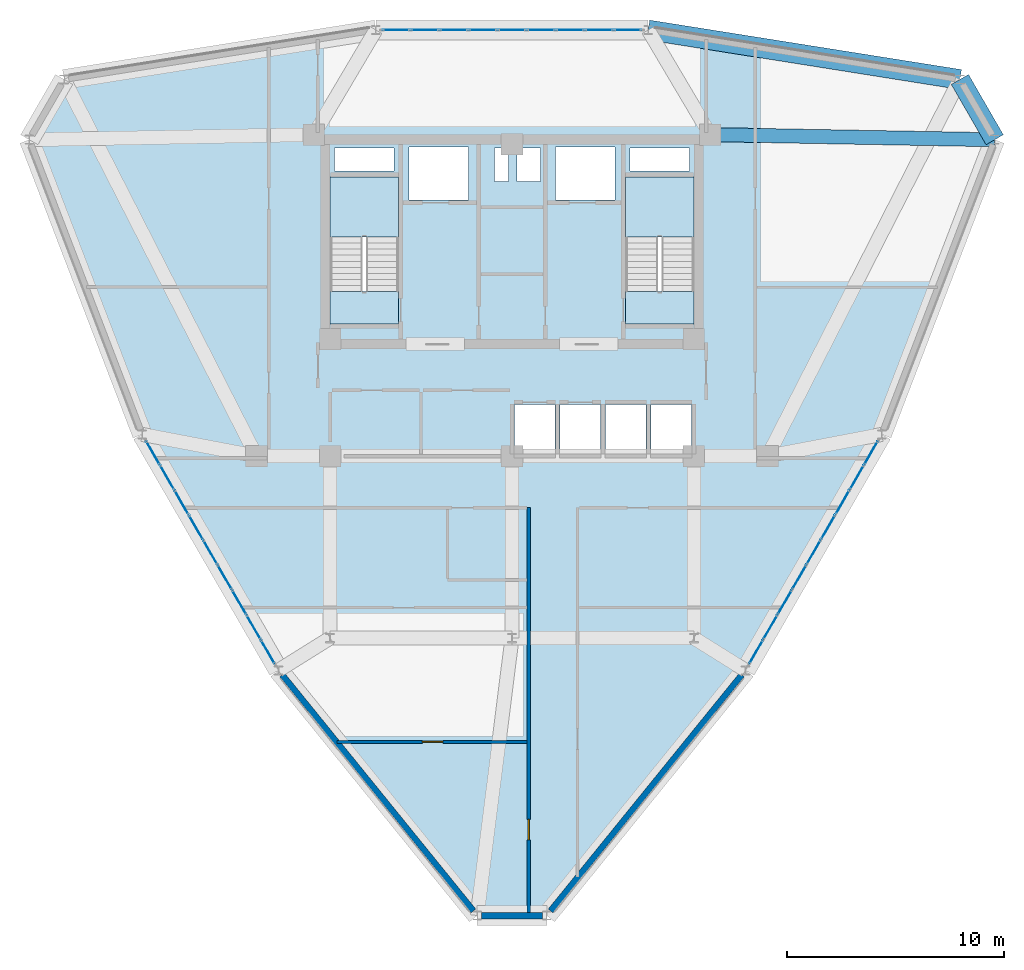
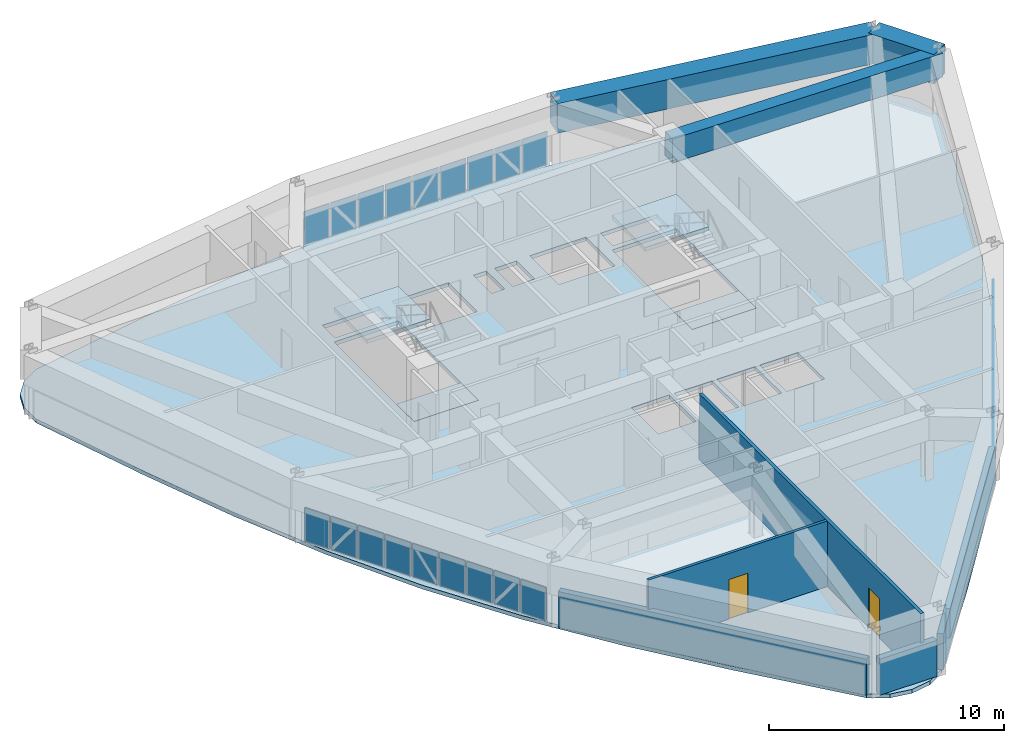
# One storey, part 9 of 13: 27 plates, 5 slabs, 5 walls, 3 beams, 2 doors, 2 openings, 5 elements without a shape of their own.
"""IFC4 building model written with IfcOpenShell, lengths in metres."""

from ifc_helpers import new_model, si_unit, derived_unit, direction, frame, frame_2d, origin, origin_2d, place, context, subcontext, project, spatial, polyline, rectangle, outline, extrude, source, transform, mapped, material, layer, layer_set, material_profile, profile_set, type_object, element, fill, aggregate, save


model = new_model("IFC4")

# Units and contexts
model_context = context("Model", 3, precision=1e-05, world=origin(), true_north=direction((0.0, 1.0)))
body_context = subcontext(model_context, "Body", "Model", "MODEL_VIEW")
ifc_project = project(units=[si_unit("LENGTHUNIT", "METRE"), si_unit("AREAUNIT", "SQUARE_METRE"), si_unit("VOLUMEUNIT", "CUBIC_METRE"), si_unit("PLANEANGLEUNIT", "RADIAN"), si_unit("MASSUNIT", "GRAM", prefix="KILO"), derived_unit("THERMALTRANSMITTANCEUNIT", [(si_unit("POWERUNIT", "WATT"), 1), (si_unit("LENGTHUNIT", "METRE"), -2), (si_unit("THERMODYNAMICTEMPERATUREUNIT", "KELVIN"), -1)])], contexts=[model_context])

# Site, building, storey
site_placement = place(None, origin())
site = spatial("IfcSite", under=ifc_project, at=site_placement, CompositionType="ELEMENT")
building_placement = place(site_placement, origin())
building = spatial("IfcBuilding", under=site, at=building_placement, Name="Korsvarv Bourse and Concert Hall", CompositionType="ELEMENT")
storey_placement = place(building_placement, frame((0.0, 0.0, 179.39990234375)))
storey = spatial("IfcBuildingStorey", under=building, at=storey_placement, Name="L46", CompositionType="ELEMENT", Elevation=179.39990234375)

# Beams
ifc_material_1 = material(Name="Concrete C50/60", Category="concrete")
ifc_material_profile_1 = material_profile(ifc_material_1, rectangle(XDim=0.919921875, YDim=1.530029296875, at=origin_2d()), Name="RC-BM 920x1530")
ifc_profile_set_1 = profile_set([ifc_material_profile_1], Name="Concrete C50/60")
beam_type_1 = type_object("IfcBeamType", Name="BM-TR-154", PredefinedType="BEAM", material=ifc_profile_set_1)
shared_shape_1 = source(origin(), body_context, "Body", "SweptSolid", [
    extrude(rectangle(XDim=0.919921875, YDim=1.530029296875, at=origin_2d()), origin(), (0.0, 0.0, 1.0), 3.21533203125),
])
beam_1_placement = place(storey_placement, frame((58.290283203125, 47.012939453125, 2.635009765625), z_axis=(-0.49998535512, 0.866033858845, 0.0), x_axis=(-0.866033858845, -0.49998535512, 0.0)))
element("IfcBeam", 1, at=beam_1_placement, inside=storey, type_object=beam_type_1, Name="L46 beam B-TR6", PredefinedType="BEAM", context=body_context, shape_type="MappedRepresentation", body=[
    mapped(shared_shape_1, transform((0.0, 0.0, 0.0), scale=1.0)),
])
shared_shape_2 = source(origin(), body_context, "Body", "SweptSolid", [
    extrude(rectangle(XDim=0.919921875, YDim=1.530029296875, at=origin_2d()), origin(), (0.0, 0.0, 1.0), 14.573486328125),
])
beam_2_placement = place(storey_placement, frame((56.6826171875, 49.797607421875, 2.635009765625), z_axis=(-0.987635363781, 0.156768581702, 0.0), x_axis=(-0.156768581702, -0.987635363781, 0.0)))
element("IfcBeam", 2, at=beam_2_placement, inside=storey, type_object=beam_type_1, Name="L46 beam B-TR6", PredefinedType="BEAM", context=body_context, shape_type="MappedRepresentation", body=[
    mapped(shared_shape_2, transform((0.0, 0.0, 0.0), scale=1.0)),
])
ifc_material_profile_2 = material_profile(ifc_material_1, rectangle(XDim=0.64990234375, YDim=1.239990234375, at=origin_2d()), Name="RC-BM 650x1240")
ifc_profile_set_2 = profile_set([ifc_material_profile_2], Name="Concrete C50/60")
beam_type_2 = type_object("IfcBeamType", Name="BM-TR-SPN", PredefinedType="BEAM", material=ifc_profile_set_2)
shared_shape_3 = source(origin(), body_context, "Body", "SweptSolid", [
    extrude(rectangle(XDim=0.64990234375, YDim=1.239990234375, at=origin_2d()), origin(), (0.0, 0.0, 1.0), 13.142578125),
])
beam_3_placement = place(storey_placement, frame((58.290283203125, 47.012939453125, 2.780029296875), z_axis=(-0.999837307824, 0.01803767954, 0.0), x_axis=(-0.01803767954, -0.999837307824, 0.0)))
element("IfcBeam", 3, at=beam_3_placement, inside=storey, type_object=beam_type_2, Name="L46 beam B-TRS", PredefinedType="BEAM", context=body_context, shape_type="MappedRepresentation", body=[
    mapped(shared_shape_3, transform((0.0, 0.0, 0.0), scale=1.0)),
])

# Slabs
ifc_material_2 = material(Name="Precast concrete C45/55", Category="concrete")
ifc_layer_1 = layer(ifc_material_2, 0.199951171875)
ifc_layer_set_1 = layer_set([ifc_layer_1], Name="Precast concrete C45/55")
slab_type_1 = type_object("IfcSlabType", Name="SLB-FLND-T", PredefinedType="LANDING", material=ifc_layer_set_1)
slab_1_placement = place(storey_placement, frame((0.0, 0.0, -0.199951171875)))
element("IfcSlab", 4, at=slab_1_placement, inside=storey, type_object=slab_type_1, Name="L46 Stair ST-T1 Floor Landing Slab", PredefinedType="LANDING", context=body_context, shape_type="SweptSolid", body=[
    extrude(outline(polyline([(30.760009765625, 38.5), (30.760009765625, 40.0), (27.60009765625, 40.0), (27.60009765625, 38.5), (30.760009765625, 38.5)])), origin(), (0.0, 0.0, 1.0), 0.199951171875),
])
slab_2_placement = place(storey_placement, frame((0.0, 0.0, -0.199951171875)))
element("IfcSlab", 5, at=slab_2_placement, inside=storey, type_object=slab_type_1, Name="L46 Stair ST-T2 Floor Landing Slab", PredefinedType="LANDING", context=body_context, shape_type="SweptSolid", body=[
    extrude(outline(polyline([(44.39990234375, 38.5), (44.39990234375, 40.0), (41.239990234375, 40.0), (41.239990234375, 38.5), (44.39990234375, 38.5)])), origin(), (0.0, 0.0, 1.0), 0.199951171875),
])

# Stair, slab
stair_type = type_object("IfcStairType", Name="STR-TYPE-04", PredefinedType="HALF_TURN_STAIR", material=ifc_material_2)
stair_1_placement = place(storey_placement, origin())
stair_1 = element("IfcStair", 6, at=stair_1_placement, inside=storey, type_object=stair_type, Name="L46 Tower West Exit Stair ST-T1", PredefinedType="HALF_TURN_STAIR")
ifc_layer_2 = layer(ifc_material_2, 0.199951171875)
ifc_layer_set_2 = layer_set([ifc_layer_2], Name="Precast concrete C45/55")
slab_type_2 = type_object("IfcSlabType", Name="SLB-ST-LND", PredefinedType="LANDING", material=ifc_layer_set_2)
slab_3_placement = place(storey_placement, frame((0.0, 0.0, 1.60009765625)))
slab_3 = element("IfcSlab", 7, at=slab_3_placement, type_object=slab_type_2, Name="ST-T1 landing 1", PredefinedType="LANDING", context=body_context, shape_type="SweptSolid", body=[
    extrude(outline(polyline([(30.760009765625, 42.52001953125), (30.760009765625, 45.300048828125), (27.60009765625, 45.300048828125), (27.60009765625, 42.52001953125), (30.760009765625, 42.52001953125)])), origin(), (0.0, 0.0, 1.0), 0.199951171875),
])
aggregate(stair_1, [slab_3])

stair_2_placement = place(storey_placement, origin())
stair_2 = element("IfcStair", 8, at=stair_2_placement, inside=storey, type_object=stair_type, Name="L46 Tower East Exit Stair ST-T2", PredefinedType="HALF_TURN_STAIR")
slab_4_placement = place(storey_placement, frame((0.0, 0.0, 1.60009765625)))
slab_4 = element("IfcSlab", 9, at=slab_4_placement, type_object=slab_type_2, Name="ST-T2 landing 1", PredefinedType="LANDING", context=body_context, shape_type="SweptSolid", body=[
    extrude(outline(polyline([(44.39990234375, 42.52001953125), (44.39990234375, 45.300048828125), (41.239990234375, 45.300048828125), (41.239990234375, 42.52001953125), (44.39990234375, 42.52001953125)])), origin(), (0.0, 0.0, 1.0), 0.199951171875),
])
aggregate(stair_2, [slab_4])

# Slab
ifc_material_3 = material(Name="Concrete C45/55", Category="concrete")
ifc_layer_3 = layer(ifc_material_3, 0.199951171875)
ifc_layer_set_3 = layer_set([ifc_layer_3], Name="Concrete C45/55")
slab_type_3 = type_object("IfcSlabType", Name="SLB-TW2", PredefinedType="FLOOR", material=ifc_layer_set_3)
slab_5_placement = place(storey_placement, frame((0.0, 0.0, -0.199951171875)))
element("IfcSlab", 10, at=slab_5_placement, inside=storey, type_object=slab_type_3, Name="L46 tower structural floor slab", PredefinedType="FLOOR", context=body_context, shape_type="SweptSolid", body=[
    extrude(outline(polyline([(57.82861328125, 45.6220703125), (56.160888671875, 40.9970703125), (54.38720703125, 36.45849609375), (52.40966796875, 32.057373046875), (50.16259765625, 27.8232421875), (47.619140625, 23.76025390625), (44.79638671875, 19.84716796875), (41.7529296875, 16.04150390625), (38.581298828125, 12.284912109375), (38.57958984375, 12.282958984375), (37.840576171875, 11.402099609375), (36.9794921875, 10.905029296875), (36.0, 10.732421875), (35.0205078125, 10.905029296875), (34.159423828125, 11.402099609375), (33.42041015625, 12.282958984375), (33.418701171875, 12.284912109375), (30.2470703125, 16.04150390625), (27.20361328125, 19.84716796875), (24.380859375, 23.76025390625), (21.83740234375, 27.8232421875), (19.59033203125, 32.057373046875), (17.61279296875, 36.45849609375), (15.839111328125, 40.9970703125), (14.17138671875, 45.6220703125), (14.170654296875, 45.62451171875), (13.77734375, 46.704833984375), (13.77734375, 47.699462890625), (14.117431640625, 48.6337890625), (14.7568359375, 49.395751953125), (15.617919921875, 49.892822265625), (16.75, 50.092529296875), (16.752685546875, 50.093017578125), (21.591796875, 50.96142578125), (26.409423828125, 51.6943359375), (31.209716796875, 52.1826171875), (36.0, 52.353515625), (40.790283203125, 52.1826171875), (45.590576171875, 51.6943359375), (50.408203125, 50.96142578125), (55.247314453125, 50.093017578125), (55.25, 50.092529296875), (56.382080078125, 49.892822265625), (57.2431640625, 49.395751953125), (57.882568359375, 48.6337890625), (58.22265625, 47.699462890625), (58.22265625, 46.704833984375), (57.829345703125, 45.62451171875), (57.82861328125, 45.6220703125)]), holes=[polyline([(30.760009765625, 38.5), (30.760009765625, 45.300048828125), (27.60009765625, 45.300048828125), (27.60009765625, 38.5), (30.760009765625, 38.5)]), polyline([(44.39990234375, 38.5), (44.39990234375, 45.300048828125), (41.239990234375, 45.300048828125), (41.239990234375, 38.5), (44.39990234375, 38.5)]), polyline([(31.239990234375, 44.219970703125), (34.0, 44.219970703125), (34.0, 46.679931640625), (31.239990234375, 46.679931640625), (31.239990234375, 44.219970703125)]), polyline([(38.0, 44.219970703125), (40.760009765625, 44.219970703125), (40.760009765625, 46.679931640625), (38.0, 46.679931640625), (38.0, 44.219970703125)]), polyline([(36.1201171875, 32.52001953125), (37.97998046875, 32.52001953125), (37.97998046875, 34.780029296875), (36.1201171875, 34.780029296875), (36.1201171875, 32.52001953125)]), polyline([(38.219970703125, 32.52001953125), (40.080078125, 32.52001953125), (40.080078125, 34.780029296875), (38.219970703125, 34.780029296875), (38.219970703125, 32.52001953125)]), polyline([(40.320068359375, 32.52001953125), (42.179931640625, 32.52001953125), (42.179931640625, 34.780029296875), (40.320068359375, 34.780029296875), (40.320068359375, 32.52001953125)]), polyline([(42.419921875, 32.52001953125), (44.280029296875, 32.52001953125), (44.280029296875, 34.780029296875), (42.419921875, 34.780029296875), (42.419921875, 32.52001953125)]), polyline([(27.800048828125, 45.56005859375), (30.56005859375, 45.56005859375), (30.56005859375, 46.6201171875), (27.800048828125, 46.6201171875), (27.800048828125, 45.56005859375)]), polyline([(41.43994140625, 45.56005859375), (44.199951171875, 45.56005859375), (44.199951171875, 46.6201171875), (41.43994140625, 46.6201171875), (41.43994140625, 45.56005859375)]), polyline([(35.199951171875, 45.080078125), (35.840087890625, 45.080078125), (35.840087890625, 46.6201171875), (35.199951171875, 46.6201171875), (35.199951171875, 45.080078125)]), polyline([(36.239990234375, 45.080078125), (37.320068359375, 45.080078125), (37.320068359375, 46.6201171875), (36.239990234375, 46.6201171875), (36.239990234375, 45.080078125)])]), origin(), (0.0, 0.0, 1.0), 0.199951171875),
])

# Curtain wall, plates
ifc_material_4 = material(Name="Anodised aluminium and triple low-E glazing", Category="glass")
ifc_layer_4 = layer(ifc_material_4, 0.199951171875)
ifc_layer_set_4 = layer_set([ifc_layer_4], Name="Anodised aluminium and triple low-E glazing")
curtain_wall_type = type_object("IfcCurtainWallType", Name="CW-SYS-3", PredefinedType="NOTDEFINED", material=ifc_layer_set_4)
curtain_wall_1_placement = place(storey_placement, origin())
curtain_wall_1 = element("IfcCurtainWall", 11, at=curtain_wall_1_placement, inside=storey, type_object=curtain_wall_type, Name="L46 CW3 curtain wall CW-L46-F03", PredefinedType="NOTDEFINED")
ifc_material_5 = material(Name="Tempered triple insulated low-E architectural glass", Category="glass")
ifc_layer_5 = layer(ifc_material_5, 0.0380859375)
ifc_layer_set_5 = layer_set([ifc_layer_5], Name="Tempered triple insulated low-E architectural glass")
plate_type_1 = type_object("IfcPlateType", Name="CWP-VIS2", PredefinedType="CURTAIN_PANEL", material=ifc_layer_set_5)
shared_shape_4 = source(origin(), body_context, "Body", "SweptSolid", [
    extrude(rectangle(XDim=1.236328125, YDim=0.0380859375, at=origin_2d()), origin(), (0.0, 0.0, 1.0), 1.739990234375),
])
plate_1_placement = place(storey_placement, frame((41.34814453125, 52.082275390625, 0.06494140625), z_axis=(0.0, 0.0, 1.0), x_axis=(-1.0, 0.0, 0.0)))
plate_1 = element("IfcPlate", 12, at=plate_1_placement, type_object=plate_type_1, Name="CW3 faceted panel 1.1", PredefinedType="CURTAIN_PANEL", context=body_context, shape_type="MappedRepresentation", body=[
    mapped(shared_shape_4, transform((0.0, 0.0, 0.0), scale=1.0)),
])
plate_2_placement = place(storey_placement, frame((30.65185546875, 52.082275390625, 0.06494140625), z_axis=(0.0, 0.0, 1.0), x_axis=(-1.0, 0.0, 0.0)))
plate_2 = element("IfcPlate", 13, at=plate_2_placement, type_object=plate_type_1, Name="CW3 faceted panel 9.1", PredefinedType="CURTAIN_PANEL", context=body_context, shape_type="MappedRepresentation", body=[
    mapped(shared_shape_4, transform((0.0, 0.0, 0.0), scale=1.0)),
])
ifc_material_6 = material(Name="Insulated spandrel glass", Category="glass")
ifc_layer_6 = layer(ifc_material_6, 0.031982421875)
ifc_layer_set_6 = layer_set([ifc_layer_6], Name="Insulated spandrel glass")
plate_type_2 = type_object("IfcPlateType", Name="CWP-SPD1", PredefinedType="CURTAIN_PANEL", material=ifc_layer_set_6)
shared_shape_5 = source(origin(), body_context, "Body", "SweptSolid", [
    extrude(rectangle(XDim=1.271484375, YDim=0.031982421875, at=origin_2d()), origin(), (0.0, 0.0, 1.0), 1.739990234375),
])
plate_3_placement = place(storey_placement, frame((40.024169921875, 52.082275390625, 0.06494140625), z_axis=(0.0, 0.0, 1.0), x_axis=(-1.0, 0.0, 0.0)))
plate_3 = element("IfcPlate", 14, at=plate_3_placement, type_object=plate_type_2, Name="CW3 spandrel shadow-box panel 2.1", PredefinedType="CURTAIN_PANEL", context=body_context, shape_type="MappedRepresentation", body=[
    mapped(shared_shape_5, transform((0.0, 0.0, 0.0), scale=1.0)),
])
plate_4_placement = place(storey_placement, frame((36.0, 52.082275390625, 0.06494140625), z_axis=(0.0, 0.0, 1.0), x_axis=(-1.0, 0.0, 0.0)))
plate_4 = element("IfcPlate", 15, at=plate_4_placement, type_object=plate_type_2, Name="CW3 spandrel shadow-box panel 5.1", PredefinedType="CURTAIN_PANEL", context=body_context, shape_type="MappedRepresentation", body=[
    mapped(shared_shape_5, transform((0.0, 0.0, 0.0), scale=1.0)),
])
plate_5_placement = place(storey_placement, frame((31.975830078125, 52.082275390625, 0.06494140625), z_axis=(0.0, 0.0, 1.0), x_axis=(-1.0, 0.0, 0.0)))
plate_5 = element("IfcPlate", 16, at=plate_5_placement, type_object=plate_type_2, Name="CW3 spandrel shadow-box panel 8.1", PredefinedType="CURTAIN_PANEL", context=body_context, shape_type="MappedRepresentation", body=[
    mapped(shared_shape_5, transform((0.0, 0.0, 0.0), scale=1.0)),
])
shared_shape_6 = source(origin(), body_context, "Body", "SweptSolid", [
    extrude(rectangle(XDim=1.271484375, YDim=0.0380859375, at=origin_2d()), origin(), (0.0, 0.0, 1.0), 1.739990234375),
])
plate_6_placement = place(storey_placement, frame((38.682861328125, 52.082275390625, 0.06494140625), z_axis=(0.0, 0.0, 1.0), x_axis=(-1.0, 0.0, 0.0)))
plate_6 = element("IfcPlate", 17, at=plate_6_placement, type_object=plate_type_1, Name="CW3 faceted panel 3.1", PredefinedType="CURTAIN_PANEL", context=body_context, shape_type="MappedRepresentation", body=[
    mapped(shared_shape_6, transform((0.0, 0.0, 0.0), scale=1.0)),
])
plate_7_placement = place(storey_placement, frame((37.34130859375, 52.082275390625, 0.06494140625), z_axis=(0.0, 0.0, 1.0), x_axis=(-1.0, 0.0, 0.0)))
plate_7 = element("IfcPlate", 18, at=plate_7_placement, type_object=plate_type_1, Name="CW3 faceted panel 4.1", PredefinedType="CURTAIN_PANEL", context=body_context, shape_type="MappedRepresentation", body=[
    mapped(shared_shape_6, transform((0.0, 0.0, 0.0), scale=1.0)),
])
plate_8_placement = place(storey_placement, frame((34.65869140625, 52.082275390625, 0.06494140625), z_axis=(0.0, 0.0, 1.0), x_axis=(-1.0, 0.0, 0.0)))
plate_8 = element("IfcPlate", 19, at=plate_8_placement, type_object=plate_type_1, Name="CW3 faceted panel 6.1", PredefinedType="CURTAIN_PANEL", context=body_context, shape_type="MappedRepresentation", body=[
    mapped(shared_shape_6, transform((0.0, 0.0, 0.0), scale=1.0)),
])
plate_9_placement = place(storey_placement, frame((33.317138671875, 52.082275390625, 0.06494140625), z_axis=(0.0, 0.0, 1.0), x_axis=(-1.0, 0.0, 0.0)))
plate_9 = element("IfcPlate", 20, at=plate_9_placement, type_object=plate_type_1, Name="CW3 faceted panel 7.1", PredefinedType="CURTAIN_PANEL", context=body_context, shape_type="MappedRepresentation", body=[
    mapped(shared_shape_6, transform((0.0, 0.0, 0.0), scale=1.0)),
])
aggregate(curtain_wall_1, [plate_1, plate_3, plate_6, plate_7, plate_4, plate_8, plate_9, plate_5, plate_2])

curtain_wall_2_placement = place(storey_placement, origin())
curtain_wall_2 = element("IfcCurtainWall", 21, at=curtain_wall_2_placement, inside=storey, type_object=curtain_wall_type, Name="L46 CW3 curtain wall CW-L46-F07", PredefinedType="NOTDEFINED")
shared_shape_7 = source(origin(), body_context, "Body", "SweptSolid", [
    extrude(rectangle(XDim=1.226318359375, YDim=0.0380859375, at=origin_2d()), origin(), (0.0, 0.0, 1.0), 1.739990234375),
])
plate_10_placement = place(storey_placement, frame((19.418212890625, 32.555908203125, 0.06494140625), z_axis=(0.0, 0.0, 1.0), x_axis=(0.499994073747, -0.866028825281, 0.0)))
plate_10 = element("IfcPlate", 22, at=plate_10_placement, type_object=plate_type_1, Name="CW3 faceted panel 1.1", PredefinedType="CURTAIN_PANEL", context=body_context, shape_type="MappedRepresentation", body=[
    mapped(shared_shape_7, transform((0.0, 0.0, 0.0), scale=1.0)),
])
plate_11_placement = place(storey_placement, frame((24.726318359375, 23.36181640625, 0.06494140625), z_axis=(0.0, 0.0, 1.0), x_axis=(0.499994073747, -0.866028825281, 0.0)))
plate_11 = element("IfcPlate", 23, at=plate_11_placement, type_object=plate_type_1, Name="CW3 faceted panel 9.1", PredefinedType="CURTAIN_PANEL", context=body_context, shape_type="MappedRepresentation", body=[
    mapped(shared_shape_7, transform((0.0, 0.0, 0.0), scale=1.0)),
])

curtain_wall_3_placement = place(storey_placement, origin())
curtain_wall_3 = element("IfcCurtainWall", 24, at=curtain_wall_3_placement, inside=storey, type_object=curtain_wall_type, Name="L46 CW3 curtain wall CW-L46-F11", PredefinedType="NOTDEFINED")
plate_12_placement = place(storey_placement, frame((47.273681640625, 23.36181640625, 0.06494140625), z_axis=(0.0, 0.0, 1.0), x_axis=(0.499994073747, 0.866028825281, 0.0)))
plate_12 = element("IfcPlate", 25, at=plate_12_placement, type_object=plate_type_1, Name="CW3 faceted panel 1.1", PredefinedType="CURTAIN_PANEL", context=body_context, shape_type="MappedRepresentation", body=[
    mapped(shared_shape_7, transform((0.0, 0.0, 0.0), scale=1.0)),
])
plate_13_placement = place(storey_placement, frame((52.581787109375, 32.555908203125, 0.06494140625), z_axis=(0.0, 0.0, 1.0), x_axis=(0.499994073747, 0.866028825281, 0.0)))
plate_13 = element("IfcPlate", 26, at=plate_13_placement, type_object=plate_type_1, Name="CW3 faceted panel 9.1", PredefinedType="CURTAIN_PANEL", context=body_context, shape_type="MappedRepresentation", body=[
    mapped(shared_shape_7, transform((0.0, 0.0, 0.0), scale=1.0)),
])

# Plate
shared_shape_8 = source(origin(), body_context, "Body", "SweptSolid", [
    extrude(rectangle(XDim=1.261474609375, YDim=0.031982421875, at=origin_2d()), origin(), (0.0, 0.0, 1.0), 1.739990234375),
])
plate_14_placement = place(storey_placement, frame((20.0751953125, 31.41796875, 0.06494140625), z_axis=(0.0, 0.0, 1.0), x_axis=(0.499994073747, -0.866028825281, 0.0)))
plate_14 = element("IfcPlate", 27, at=plate_14_placement, type_object=plate_type_2, Name="CW3 spandrel shadow-box panel 2.1", PredefinedType="CURTAIN_PANEL", context=body_context, shape_type="MappedRepresentation", body=[
    mapped(shared_shape_8, transform((0.0, 0.0, 0.0), scale=1.0)),
])

plate_15_placement = place(storey_placement, frame((22.072265625, 27.958740234375, 0.06494140625), z_axis=(0.0, 0.0, 1.0), x_axis=(0.499994073747, -0.866028825281, 0.0)))
plate_15 = element("IfcPlate", 28, at=plate_15_placement, type_object=plate_type_2, Name="CW3 spandrel shadow-box panel 5.1", PredefinedType="CURTAIN_PANEL", context=body_context, shape_type="MappedRepresentation", body=[
    mapped(shared_shape_8, transform((0.0, 0.0, 0.0), scale=1.0)),
])

plate_16_placement = place(storey_placement, frame((24.0693359375, 24.499755859375, 0.06494140625), z_axis=(0.0, 0.0, 1.0), x_axis=(0.499994073747, -0.866028825281, 0.0)))
plate_16 = element("IfcPlate", 29, at=plate_16_placement, type_object=plate_type_2, Name="CW3 spandrel shadow-box panel 8.1", PredefinedType="CURTAIN_PANEL", context=body_context, shape_type="MappedRepresentation", body=[
    mapped(shared_shape_8, transform((0.0, 0.0, 0.0), scale=1.0)),
])

plate_17_placement = place(storey_placement, frame((47.9306640625, 24.499755859375, 0.06494140625), z_axis=(0.0, 0.0, 1.0), x_axis=(0.499994073747, 0.866028825281, 0.0)))
plate_17 = element("IfcPlate", 30, at=plate_17_placement, type_object=plate_type_2, Name="CW3 spandrel shadow-box panel 2.1", PredefinedType="CURTAIN_PANEL", context=body_context, shape_type="MappedRepresentation", body=[
    mapped(shared_shape_8, transform((0.0, 0.0, 0.0), scale=1.0)),
])

plate_18_placement = place(storey_placement, frame((49.927734375, 27.958740234375, 0.06494140625), z_axis=(0.0, 0.0, 1.0), x_axis=(0.499994073747, 0.866028825281, 0.0)))
plate_18 = element("IfcPlate", 31, at=plate_18_placement, type_object=plate_type_2, Name="CW3 spandrel shadow-box panel 5.1", PredefinedType="CURTAIN_PANEL", context=body_context, shape_type="MappedRepresentation", body=[
    mapped(shared_shape_8, transform((0.0, 0.0, 0.0), scale=1.0)),
])

plate_19_placement = place(storey_placement, frame((51.9248046875, 31.41796875, 0.06494140625), z_axis=(0.0, 0.0, 1.0), x_axis=(0.499994073747, 0.866028825281, 0.0)))
plate_19 = element("IfcPlate", 32, at=plate_19_placement, type_object=plate_type_2, Name="CW3 spandrel shadow-box panel 8.1", PredefinedType="CURTAIN_PANEL", context=body_context, shape_type="MappedRepresentation", body=[
    mapped(shared_shape_8, transform((0.0, 0.0, 0.0), scale=1.0)),
])

shared_shape_9 = source(origin(), body_context, "Body", "SweptSolid", [
    extrude(rectangle(XDim=1.261474609375, YDim=0.0380859375, at=origin_2d()), origin(), (0.0, 0.0, 1.0), 1.739990234375),
])
plate_20_placement = place(storey_placement, frame((20.740966796875, 30.264892578125, 0.06494140625), z_axis=(0.0, 0.0, 1.0), x_axis=(0.499994073747, -0.866028825281, 0.0)))
plate_20 = element("IfcPlate", 33, at=plate_20_placement, type_object=plate_type_1, Name="CW3 faceted panel 3.1", PredefinedType="CURTAIN_PANEL", context=body_context, shape_type="MappedRepresentation", body=[
    mapped(shared_shape_9, transform((0.0, 0.0, 0.0), scale=1.0)),
])

plate_21_placement = place(storey_placement, frame((21.406494140625, 29.11181640625, 0.06494140625), z_axis=(0.0, 0.0, 1.0), x_axis=(0.499994073747, -0.866028825281, 0.0)))
plate_21 = element("IfcPlate", 34, at=plate_21_placement, type_object=plate_type_1, Name="CW3 faceted panel 4.1", PredefinedType="CURTAIN_PANEL", context=body_context, shape_type="MappedRepresentation", body=[
    mapped(shared_shape_9, transform((0.0, 0.0, 0.0), scale=1.0)),
])

plate_22_placement = place(storey_placement, frame((22.738037109375, 26.8056640625, 0.06494140625), z_axis=(0.0, 0.0, 1.0), x_axis=(0.499994073747, -0.866028825281, 0.0)))
plate_22 = element("IfcPlate", 35, at=plate_22_placement, type_object=plate_type_1, Name="CW3 faceted panel 6.1", PredefinedType="CURTAIN_PANEL", context=body_context, shape_type="MappedRepresentation", body=[
    mapped(shared_shape_9, transform((0.0, 0.0, 0.0), scale=1.0)),
])

plate_23_placement = place(storey_placement, frame((23.403564453125, 25.65283203125, 0.06494140625), z_axis=(0.0, 0.0, 1.0), x_axis=(0.499994073747, -0.866028825281, 0.0)))
plate_23 = element("IfcPlate", 36, at=plate_23_placement, type_object=plate_type_1, Name="CW3 faceted panel 7.1", PredefinedType="CURTAIN_PANEL", context=body_context, shape_type="MappedRepresentation", body=[
    mapped(shared_shape_9, transform((0.0, 0.0, 0.0), scale=1.0)),
])

aggregate(curtain_wall_2, [plate_10, plate_14, plate_20, plate_21, plate_15, plate_22, plate_23, plate_16, plate_11])

plate_24_placement = place(storey_placement, frame((48.596435546875, 25.65283203125, 0.06494140625), z_axis=(0.0, 0.0, 1.0), x_axis=(0.499994073747, 0.866028825281, 0.0)))
plate_24 = element("IfcPlate", 37, at=plate_24_placement, type_object=plate_type_1, Name="CW3 faceted panel 3.1", PredefinedType="CURTAIN_PANEL", context=body_context, shape_type="MappedRepresentation", body=[
    mapped(shared_shape_9, transform((0.0, 0.0, 0.0), scale=1.0)),
])

plate_25_placement = place(storey_placement, frame((49.261962890625, 26.8056640625, 0.06494140625), z_axis=(0.0, 0.0, 1.0), x_axis=(0.499994073747, 0.866028825281, 0.0)))
plate_25 = element("IfcPlate", 38, at=plate_25_placement, type_object=plate_type_1, Name="CW3 faceted panel 4.1", PredefinedType="CURTAIN_PANEL", context=body_context, shape_type="MappedRepresentation", body=[
    mapped(shared_shape_9, transform((0.0, 0.0, 0.0), scale=1.0)),
])

plate_26_placement = place(storey_placement, frame((50.593505859375, 29.11181640625, 0.06494140625), z_axis=(0.0, 0.0, 1.0), x_axis=(0.499994073747, 0.866028825281, 0.0)))
plate_26 = element("IfcPlate", 39, at=plate_26_placement, type_object=plate_type_1, Name="CW3 faceted panel 6.1", PredefinedType="CURTAIN_PANEL", context=body_context, shape_type="MappedRepresentation", body=[
    mapped(shared_shape_9, transform((0.0, 0.0, 0.0), scale=1.0)),
])

plate_27_placement = place(storey_placement, frame((51.259033203125, 30.264892578125, 0.06494140625), z_axis=(0.0, 0.0, 1.0), x_axis=(0.499994073747, 0.866028825281, 0.0)))
plate_27 = element("IfcPlate", 40, at=plate_27_placement, type_object=plate_type_1, Name="CW3 faceted panel 7.1", PredefinedType="CURTAIN_PANEL", context=body_context, shape_type="MappedRepresentation", body=[
    mapped(shared_shape_9, transform((0.0, 0.0, 0.0), scale=1.0)),
])

aggregate(curtain_wall_3, [plate_12, plate_17, plate_24, plate_25, plate_18, plate_26, plate_27, plate_19, plate_13])

# Walls
ifc_material_7 = material(Name="Precast concrete C45/55 with terracotta rainscreen", Category="concrete")
ifc_layer_7 = layer(ifc_material_7, 0.300048828125)
ifc_layer_set_7 = layer_set([ifc_layer_7], Name="Precast concrete C45/55 with terracotta rainscreen")
wall_type_1 = type_object("IfcWallType", Name="WL-EXT-TC1", PredefinedType="SOLIDWALL", material=ifc_layer_set_7)
wall_1_placement = place(storey_placement, frame((34.600341796875, 11.189453125, 0.0), z_axis=(0.0, 0.0, 1.0), x_axis=(1.0, 0.0, 0.0)))
element("IfcWall", 41, at=wall_1_placement, inside=storey, type_object=wall_type_1, Name="L46 terracotta exterior wall EW-L46-B09", PredefinedType="SOLIDWALL", context=body_context, shape_type="SweptSolid", body=[
    extrude(rectangle(XDim=2.79931640625, YDim=0.300048828125, at=frame_2d((1.399658203125, 0.0))), origin(), (0.0, 0.0, 1.0), 1.8701171875),
])
ifc_material_8 = material(Name="Precast concrete C45/55 with fluted terracotta pier", Category="concrete")
ifc_layer_8 = layer(ifc_material_8, 0.280029296875)
ifc_layer_set_8 = layer_set([ifc_layer_8], Name="Precast concrete C45/55 with fluted terracotta pier")
wall_type_2 = type_object("IfcWallType", Name="WL-EXT-TC2", PredefinedType="SOLIDWALL", material=ifc_layer_set_8)
for number, where, z_axis, x_axis, name in (
    (42, (25.389404296875, 22.299072265625, 0.0), (0.0, 0.0, 1.0), (0.629601252026, -0.776918440666, 0.0), "L46 terracotta exterior wall EW-L46-B08"),
    (43, (37.7802734375, 11.402587890625, 0.0), (0.0, 0.0, 1.0), (0.629601252026, 0.776918440666, 0.0), "L46 terracotta exterior wall EW-L46-B10"),
):
    element("IfcWall", number, at=place(storey_placement, frame(where, z_axis=z_axis, x_axis=x_axis)), inside=storey, type_object=wall_type_2, Name=name, PredefinedType="SOLIDWALL", context=body_context, shape_type="SweptSolid", body=[
        extrude(rectangle(XDim=14.025146484375, YDim=0.280029296875, at=frame_2d((7.0126953125, 0.0))), origin(), (0.0, 0.0, 1.0), 1.8701171875),
    ])

# Wall, opening, door
ifc_material_9 = material(Name="Double-stud fire-rated acoustic partition", Category="gypsum")
ifc_layer_9 = layer(ifc_material_9, 0.159912109375)
ifc_layer_set_9 = layer_set([ifc_layer_9], Name="Double-stud fire-rated acoustic partition")
wall_type_3 = type_object("IfcWallType", Name="WL-INT-EI60", PredefinedType="PARTITIONING", material=ifc_layer_set_9)
wall_2_placement = place(storey_placement, frame((36.77490234375, 11.20947265625, 0.0), z_axis=(0.0, 0.0, 1.0), x_axis=(0.0, 1.0, 0.0)))
wall_2 = element("IfcWall", 44, at=wall_2_placement, inside=storey, type_object=wall_type_3, Name="L46 interior partition wall W-L46-TCOR-03", PredefinedType="PARTITIONING", context=body_context, shape_type="SweptSolid", body=[
    extrude(rectangle(XDim=18.820556640625, YDim=0.159912109375, at=frame_2d((9.41015625, 0.0))), origin(), (0.0, 0.0, 1.0), 3.400146484375),
])
opening_1_placement = place(wall_2_placement, frame((3.47021484375, 0.0, 0.0)))
opening_1 = element("IfcOpeningElement", 45, at=opening_1_placement, cuts=wall_2, Name="Opening D-02", PredefinedType="OPENING", context=body_context, shape_type="SweptSolid", body=[
    extrude(rectangle(XDim=0.949951171875, YDim=2.050048828125, at=frame_2d((0.47509765625, 1.02490234375))), frame((0.0, 0.08984375, 0.0), z_axis=(0.0, -1.0, 0.0), x_axis=(1.0, 0.0, 0.0)), (0.0, 0.0, 1.0), 0.179931640625),
])
ifc_material_10 = material(Name="Timber and steel acoustic fire door", Category="wood")
door_type_1 = type_object("IfcDoorType", Name="DR-FD30", OperationType="NOTDEFINED", PredefinedType="DOOR", material=ifc_material_10)
door_1_placement = place(opening_1_placement, origin())
door_1 = element("IfcDoor", 46, at=door_1_placement, inside=storey, type_object=door_type_1, Name="L46 interior door DR-L46-TCOR-AR56", OperationType="SINGLE_SWING_RIGHT", OverallHeight=2.050048828125, OverallWidth=0.949951171875, PredefinedType="DOOR", context=body_context, shape_type="SweptSolid", body=[
    extrude(rectangle(XDim=0.949951171875, YDim=2.050048828125, at=frame_2d((0.47509765625, 1.02490234375))), frame((0.0, 0.02490234375, 0.0), z_axis=(0.0, -1.0, 0.0), x_axis=(1.0, 0.0, 0.0)), (0.0, 0.0, 1.0), 0.050048828125),
])
fill(opening_1, door_1)

ifc_material_11 = material(Name="Insulated steel-stud office acoustic partition", Category="gypsum")
ifc_layer_10 = layer(ifc_material_11, 0.139892578125)
ifc_layer_set_10 = layer_set([ifc_layer_10], Name="Insulated steel-stud office acoustic partition")
wall_type_4 = type_object("IfcWallType", Name="WL-INT-P1", PredefinedType="PARTITIONING", material=ifc_layer_set_10)
wall_3_placement = place(storey_placement, frame((27.916748046875, 19.205078125, 0.0), z_axis=(0.0, 0.0, 1.0), x_axis=(1.0, 0.0, 0.0)))
wall_3 = element("IfcWall", 47, at=wall_3_placement, inside=storey, type_object=wall_type_4, Name="L46 interior partition wall W-L46-TCOR-13", PredefinedType="PARTITIONING", context=body_context, shape_type="SweptSolid", body=[
    extrude(rectangle(XDim=8.7763671875, YDim=0.139892578125, at=frame_2d((4.38818359375, 0.0))), origin(), (0.0, 0.0, 1.0), 3.400146484375),
])
opening_2_placement = place(wall_3_placement, frame((3.946533203125, 0.0, 0.0)))
opening_2 = element("IfcOpeningElement", 48, at=opening_2_placement, cuts=wall_3, Name="Opening D-03", PredefinedType="OPENING", context=body_context, shape_type="SweptSolid", body=[
    extrude(rectangle(XDim=0.949951171875, YDim=2.050048828125, at=frame_2d((0.47509765625, 1.02490234375))), frame((0.0, 0.080078125, 0.0), z_axis=(0.0, -1.0, 0.0), x_axis=(1.0, 0.0, 0.0)), (0.0, 0.0, 1.0), 0.159912109375),
])
ifc_material_12 = material(Name="Nordic oak acoustic office door", Category="wood")
door_type_2 = type_object("IfcDoorType", Name="DR-INT-1", OperationType="NOTDEFINED", PredefinedType="DOOR", material=ifc_material_12)
door_2_placement = place(opening_2_placement, origin())
door_2 = element("IfcDoor", 49, at=door_2_placement, inside=storey, type_object=door_type_2, Name="L46 interior door DR-L46-TCOR-AR37", OperationType="SINGLE_SWING_RIGHT", OverallHeight=2.050048828125, OverallWidth=0.949951171875, PredefinedType="DOOR", context=body_context, shape_type="SweptSolid", body=[
    extrude(rectangle(XDim=0.949951171875, YDim=2.050048828125, at=frame_2d((0.47509765625, 1.02490234375))), frame((0.0, 0.02490234375, 0.0), z_axis=(0.0, -1.0, 0.0), x_axis=(1.0, 0.0, 0.0)), (0.0, 0.0, 1.0), 0.050048828125),
])
fill(opening_2, door_2)

save(model, "model.ifc")
